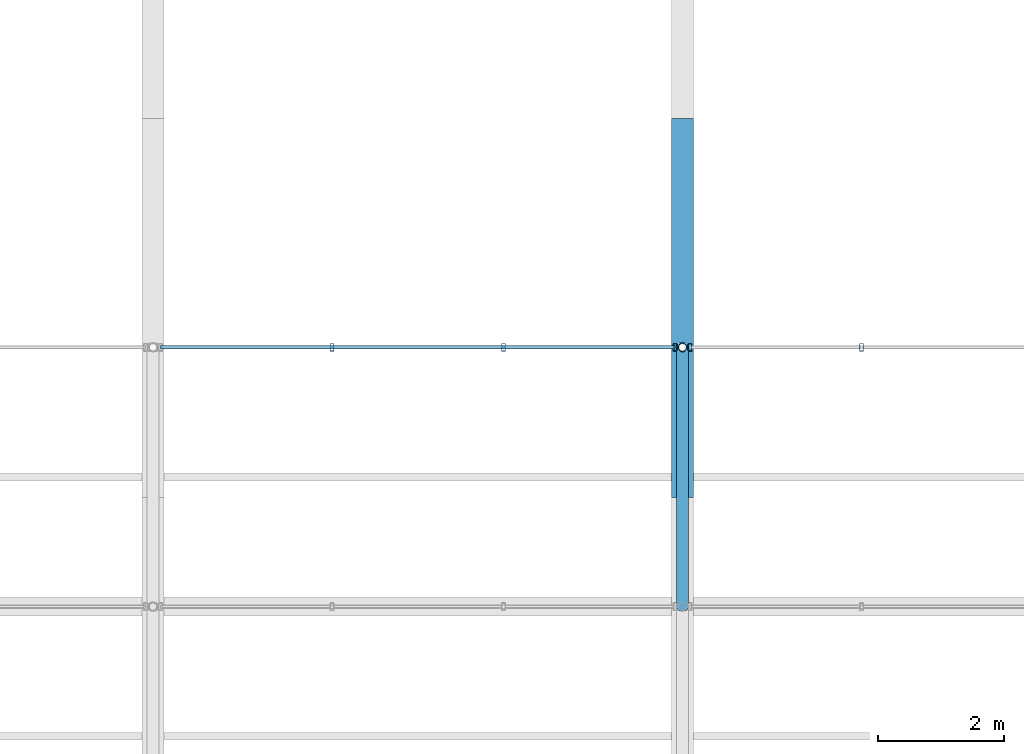
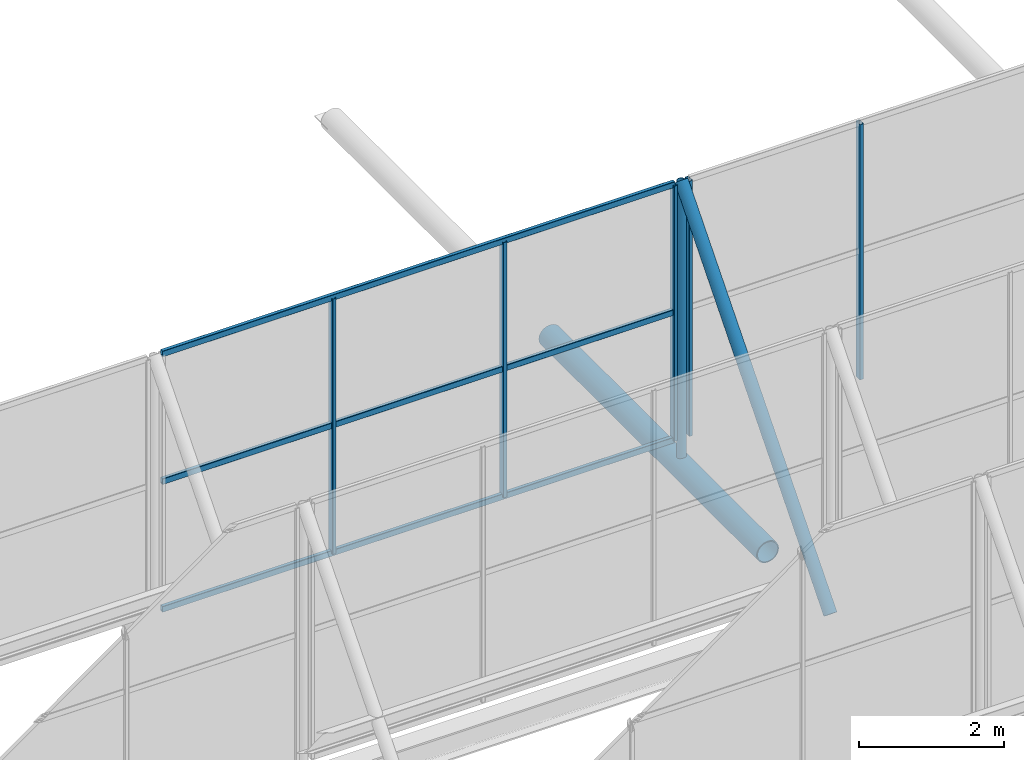
# One storey, part 39 of 77: 11 members, 2 elements without a shape of their own.
"""IFC4 building model written with IfcOpenShell, lengths in metres."""

from ifc_helpers import new_model, si_unit, derived_unit, direction, frame, origin, origin_2d, place, context, subcontext, project, spatial, hollow_rectangle, hollow_circle, extrude, material, material_profile, profile_set, type_object, element, aggregate, save


model = new_model("IFC4")

# Units and contexts
model_context = context("Model", 3, precision=1e-05, world=origin(), true_north=direction((0.0, 1.0)))
body_context = subcontext(model_context, "Body", "Model", "MODEL_VIEW")
ifc_project = project(units=[si_unit("LENGTHUNIT", "METRE"), si_unit("AREAUNIT", "SQUARE_METRE"), si_unit("VOLUMEUNIT", "CUBIC_METRE"), si_unit("PLANEANGLEUNIT", "RADIAN"), si_unit("MASSUNIT", "GRAM", prefix="KILO"), derived_unit("THERMALTRANSMITTANCEUNIT", [(si_unit("MASSUNIT", "GRAM", prefix="KILO"), 1), (si_unit("TIMEUNIT", "SECOND"), -3), (si_unit("THERMODYNAMICTEMPERATUREUNIT", "KELVIN"), -1)])], contexts=[model_context])

# Site, building, storey
site_placement = place(None, origin())
site = spatial("IfcSite", under=ifc_project, at=site_placement, CompositionType="ELEMENT")
building_placement = place(site_placement, origin())
building = spatial("IfcBuilding", under=site, at=building_placement, Name="Kharveza Railside Sports Centre", CompositionType="ELEMENT")
storey_placement = place(building_placement, frame((0.0, 0.0, 17.10009765625)))
storey = spatial("IfcBuildingStorey", under=building, at=storey_placement, Name="L04", CompositionType="ELEMENT", Elevation=17.10009765625)

# Curtain wall, members
ifc_material_1 = material(Name="Low-E solar-control laminated glass", Category="glass")
curtain_wall_type = type_object("IfcCurtainWallType", Name="CW-NL01", PredefinedType="NOTDEFINED", material=ifc_material_1)
curtain_wall_1_placement = place(storey_placement, origin())
curtain_wall_1 = element("IfcCurtainWall", 1, at=curtain_wall_1_placement, inside=storey, type_object=curtain_wall_type, Name="CW-V1NL-7-3", PredefinedType="NOTDEFINED")
ifc_material_2 = material(Name="Anodised aluminium 6063-T6", Category="aluminium")
ifc_material_profile_1 = material_profile(ifc_material_2, hollow_rectangle(XDim=0.06005859375, YDim=0.1201171875, WallThickness=0.0048828125, InnerFilletRadius=0.0048828125, OuterFilletRadius=0.010009765625, at=origin_2d()), Name="RHS 60x120x5.0")
ifc_profile_set_1 = profile_set([ifc_material_profile_1], Name="Anodised aluminium 6063-T6")
member_type_1 = type_object("IfcMemberType", Name="CW-ML05", PredefinedType="MULLION", material=ifc_profile_set_1)
member_1_placement = place(storey_placement, frame((53.239990234375, 64.800048828125, -0.550048828125), z_axis=(0.0, 0.0, 1.0), x_axis=(1.0, 0.0, 0.0)))
member_1 = element("IfcMember", 2, at=member_1_placement, type_object=member_type_1, Name="CW-V1NL-7-3-ML2", PredefinedType="MULLION", context=body_context, shape_type="SweptSolid", body=[
    extrude(hollow_rectangle(XDim=0.06005859375, YDim=0.1201171875, WallThickness=0.0048828125, InnerFilletRadius=0.0048828125, OuterFilletRadius=0.010009765625, at=origin_2d()), origin(), (0.0, 0.0, 1.0), 4.300048828125),
])
member_2_placement = place(storey_placement, frame((55.9599609375, 64.800048828125, -0.550048828125), z_axis=(0.0, 0.0, 1.0), x_axis=(1.0, 0.0, 0.0)))
member_2 = element("IfcMember", 3, at=member_2_placement, type_object=member_type_1, Name="CW-V1NL-7-3-ML3", PredefinedType="MULLION", context=body_context, shape_type="SweptSolid", body=[
    extrude(hollow_rectangle(XDim=0.06005859375, YDim=0.1201171875, WallThickness=0.0048828125, InnerFilletRadius=0.0048828125, OuterFilletRadius=0.010009765625, at=origin_2d()), origin(), (0.0, 0.0, 1.0), 4.300048828125),
])
member_3_placement = place(storey_placement, frame((58.679931640625, 64.800048828125, -0.550048828125), z_axis=(0.0, 0.0, 1.0), x_axis=(1.0, 0.0, 0.0)))
member_3 = element("IfcMember", 4, at=member_3_placement, type_object=member_type_1, Name="CW-V1NL-7-3-ML4", PredefinedType="MULLION", context=body_context, shape_type="SweptSolid", body=[
    extrude(hollow_rectangle(XDim=0.06005859375, YDim=0.1201171875, WallThickness=0.0048828125, InnerFilletRadius=0.0048828125, OuterFilletRadius=0.010009765625, at=origin_2d()), origin(), (0.0, 0.0, 1.0), 4.300048828125),
])

curtain_wall_2_placement = place(storey_placement, origin())
curtain_wall_2 = element("IfcCurtainWall", 5, at=curtain_wall_2_placement, inside=storey, type_object=curtain_wall_type, Name="CW-V1NL-7-4", PredefinedType="NOTDEFINED")
member_4_placement = place(storey_placement, frame((58.919921875, 64.800048828125, -0.550048828125), z_axis=(0.0, 0.0, 1.0), x_axis=(1.0, 0.0, 0.0)))
member_4 = element("IfcMember", 6, at=member_4_placement, type_object=member_type_1, Name="CW-V1NL-7-4-ML1", PredefinedType="MULLION", context=body_context, shape_type="SweptSolid", body=[
    extrude(hollow_rectangle(XDim=0.06005859375, YDim=0.1201171875, WallThickness=0.0048828125, InnerFilletRadius=0.0048828125, OuterFilletRadius=0.010009765625, at=origin_2d()), origin(), (0.0, 0.0, 1.0), 4.300048828125),
])
member_5_placement = place(storey_placement, frame((61.639892578125, 64.800048828125, -0.550048828125), z_axis=(0.0, 0.0, 1.0), x_axis=(1.0, 0.0, 0.0)))
member_5 = element("IfcMember", 7, at=member_5_placement, type_object=member_type_1, Name="CW-V1NL-7-4-ML2", PredefinedType="MULLION", context=body_context, shape_type="SweptSolid", body=[
    extrude(hollow_rectangle(XDim=0.06005859375, YDim=0.1201171875, WallThickness=0.0048828125, InnerFilletRadius=0.0048828125, OuterFilletRadius=0.010009765625, at=origin_2d()), origin(), (0.0, 0.0, 1.0), 4.300048828125),
])
aggregate(curtain_wall_2, [member_4, member_5])

# Member
ifc_material_profile_2 = material_profile(ifc_material_2, hollow_rectangle(XDim=0.06005859375, YDim=0.10009765625, WallThickness=0.00390625, InnerFilletRadius=0.00390625, OuterFilletRadius=0.008056640625, at=origin_2d()), Name="RHS 60x100x4.0")
ifc_profile_set_2 = profile_set([ifc_material_profile_2], Name="Anodised aluminium 6063-T6")
member_type_2 = type_object("IfcMemberType", Name="CW-TR05", PredefinedType="USERDEFINED", material=ifc_profile_set_2)
member_6_placement = place(storey_placement, frame((50.52001953125, 64.800048828125, -0.550048828125), z_axis=(1.0, 0.0, 0.0), x_axis=(0.0, 1.0, 0.0)))
member_6 = element("IfcMember", 8, at=member_6_placement, type_object=member_type_2, Name="CW-V1NL-7-3-TR1", ObjectType="TRANSOM", PredefinedType="USERDEFINED", context=body_context, shape_type="SweptSolid", body=[
    extrude(hollow_rectangle(XDim=0.06005859375, YDim=0.10009765625, WallThickness=0.00390625, InnerFilletRadius=0.00390625, OuterFilletRadius=0.008056640625, at=origin_2d()), origin(), (0.0, 0.0, 1.0), 8.159912109375),
])

member_7_placement = place(storey_placement, frame((50.52001953125, 64.800048828125, 1.599853515625), z_axis=(1.0, 0.0, 0.0), x_axis=(0.0, 1.0, 0.0)))
member_7 = element("IfcMember", 9, at=member_7_placement, type_object=member_type_2, Name="CW-V1NL-7-3-TR2", ObjectType="TRANSOM", PredefinedType="USERDEFINED", context=body_context, shape_type="SweptSolid", body=[
    extrude(hollow_rectangle(XDim=0.06005859375, YDim=0.10009765625, WallThickness=0.00390625, InnerFilletRadius=0.00390625, OuterFilletRadius=0.008056640625, at=origin_2d()), origin(), (0.0, 0.0, 1.0), 8.159912109375),
])

member_8_placement = place(storey_placement, frame((50.52001953125, 64.800048828125, 3.75), z_axis=(1.0, 0.0, 0.0), x_axis=(0.0, 1.0, 0.0)))
member_8 = element("IfcMember", 10, at=member_8_placement, type_object=member_type_2, Name="CW-V1NL-7-3-TR3", ObjectType="TRANSOM", PredefinedType="USERDEFINED", context=body_context, shape_type="SweptSolid", body=[
    extrude(hollow_rectangle(XDim=0.06005859375, YDim=0.10009765625, WallThickness=0.00390625, InnerFilletRadius=0.00390625, OuterFilletRadius=0.008056640625, at=origin_2d()), origin(), (0.0, 0.0, 1.0), 8.159912109375),
])

aggregate(curtain_wall_1, [member_1, member_2, member_3, member_6, member_7, member_8])

# Members
ifc_material_3 = material(Name="Steel S355J2", Category="steel")
ifc_material_profile_3 = material_profile(ifc_material_3, hollow_circle(Radius=0.177734375, WallThickness=0.01611328125, at=origin_2d()), Name="CHS 355.6x16.0")
ifc_profile_set_3 = profile_set([ifc_material_profile_3], Name="Steel S355J2")
member_type_3 = type_object("IfcMemberType", Name="MB-CH01", PredefinedType="CHORD", material=ifc_profile_set_3)
member_9_placement = place(storey_placement, frame((58.800048828125, 62.419189453125, -1.050048828125), z_axis=(0.0, 1.0, 0.0), x_axis=(-1.0, 0.0, 0.0)))
element("IfcMember", 11, at=member_9_placement, inside=storey, type_object=member_type_3, Name="MB-V1TR-TC-4-7", PredefinedType="CHORD", context=body_context, shape_type="SweptSolid", body=[
    extrude(hollow_circle(Radius=0.177734375, WallThickness=0.01611328125, at=origin_2d()), origin(), (0.0, 0.0, 1.0), 6.009765625),
])
ifc_material_profile_4 = material_profile(ifc_material_3, hollow_circle(Radius=0.096923828125, WallThickness=0.010009765625, at=origin_2d()), Name="CHS 193.7x10.0")
ifc_profile_set_4 = profile_set([ifc_material_profile_4], Name="Steel S355J2")
member_type_4 = type_object("IfcMemberType", Name="MB-ST02", PredefinedType="STRUT", material=ifc_profile_set_4)
member_10_placement = place(storey_placement, frame((58.800048828125, 60.685791015625, -1.050048828125), z_axis=(0.0, 0.650003261435, 0.759931418039), x_axis=(-1.0, 0.0, 0.0)))
element("IfcMember", 12, at=member_10_placement, inside=storey, type_object=member_type_4, Name="MB-V1SAW-RFT-7-4", PredefinedType="STRUT", context=body_context, shape_type="SweptSolid", body=[
    extrude(hollow_circle(Radius=0.096923828125, WallThickness=0.010009765625, at=origin_2d()), origin(), (0.0, 0.0, 1.0), 6.32958984375),
])
ifc_material_profile_5 = material_profile(ifc_material_3, hollow_circle(Radius=0.06982421875, WallThickness=0.008056640625, at=origin_2d()), Name="CHS 139.7x8.0")
ifc_profile_set_5 = profile_set([ifc_material_profile_5], Name="Steel S355J2")
member_type_5 = type_object("IfcMemberType", Name="MB-ST04", PredefinedType="STRUT", material=ifc_profile_set_5)
member_11_placement = place(storey_placement, frame((58.800048828125, 64.800048828125, -1.050048828125), z_axis=(0.0, 0.0, 1.0), x_axis=(1.0, 0.0, 0.0)))
element("IfcMember", 13, at=member_11_placement, inside=storey, type_object=member_type_5, Name="MB-V1SAW-PST-7-4", PredefinedType="STRUT", context=body_context, shape_type="SweptSolid", body=[
    extrude(hollow_circle(Radius=0.06982421875, WallThickness=0.008056640625, at=origin_2d()), origin(), (0.0, 0.0, 1.0), 4.81005859375),
])

save(model, "model.ifc")
